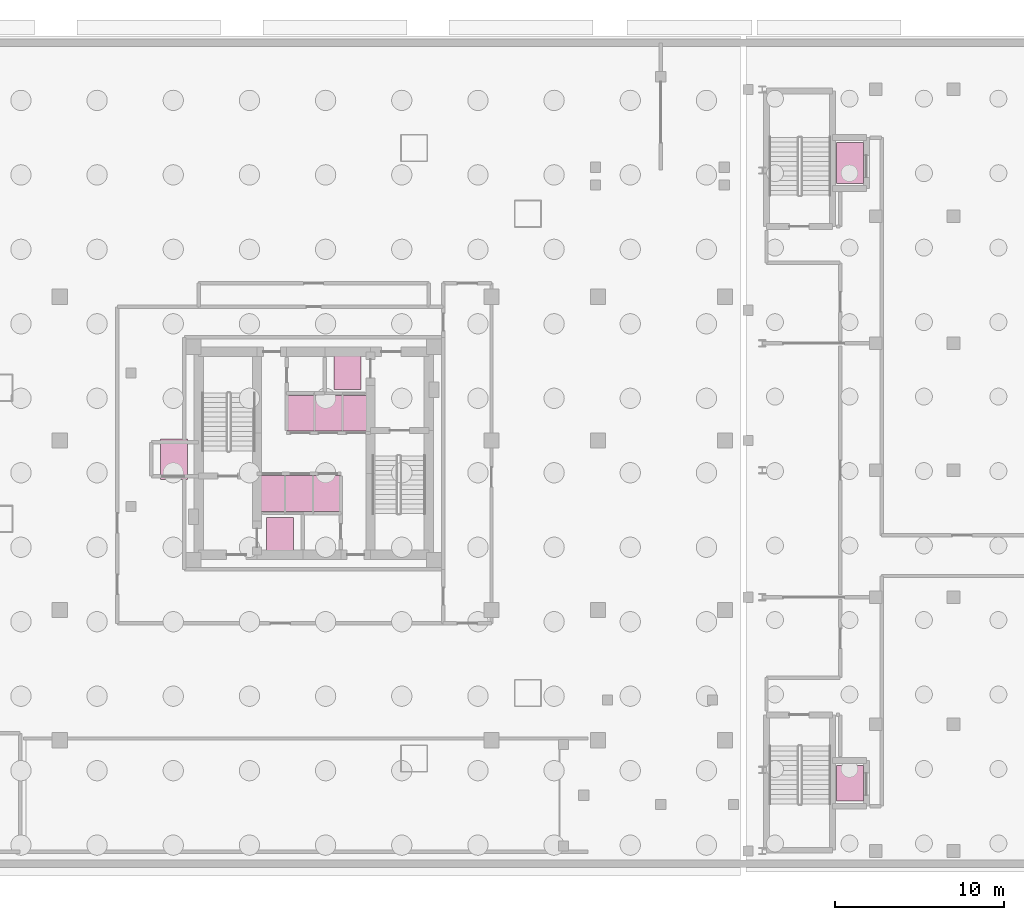
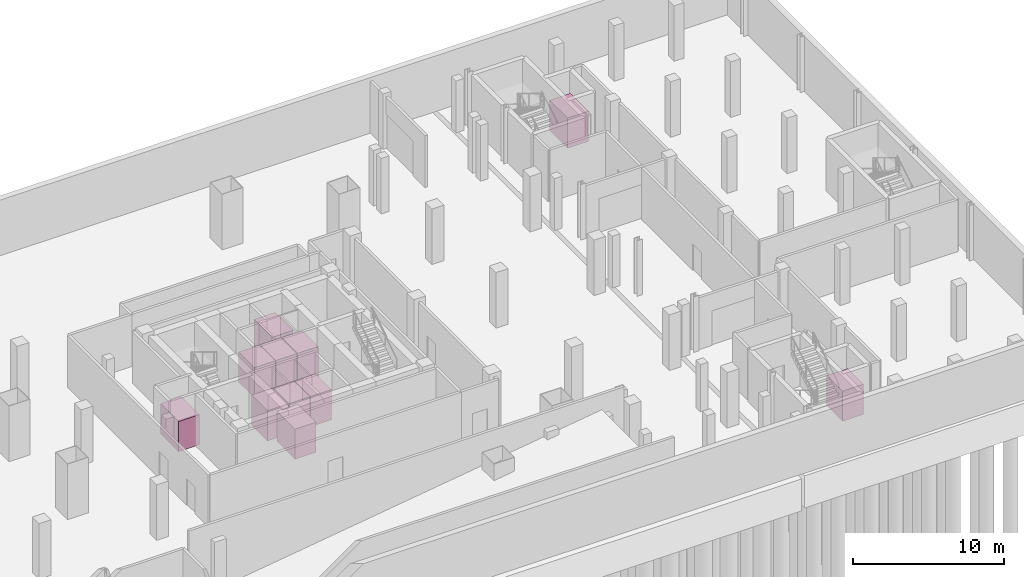
# One storey, part 15 of 15: 11 transport elements.
"""IFC4 building model written with IfcOpenShell, lengths in metres."""

from ifc_helpers import new_model, si_unit, direction, frame, origin, origin_2d, place, context, subcontext, project, spatial, rectangle, extrude, material, type_object, element, save


model = new_model("IFC4")

# Units and contexts
model_context = context("Model", 3, precision=1e-05, world=origin(), true_north=direction((0.0, 1.0)))
body_context = subcontext(model_context, "Body", "Model", "MODEL_VIEW")
ifc_project = project(units=[si_unit("LENGTHUNIT", "METRE"), si_unit("AREAUNIT", "SQUARE_METRE"), si_unit("VOLUMEUNIT", "CUBIC_METRE"), si_unit("PLANEANGLEUNIT", "RADIAN"), si_unit("MASSUNIT", "GRAM", prefix="KILO")], contexts=[model_context])

# Site, building, storey
site_placement = place(None, origin())
site = spatial("IfcSite", under=ifc_project, at=site_placement, CompositionType="ELEMENT")
building_placement = place(site_placement, origin())
building = spatial("IfcBuilding", under=site, at=building_placement, Name="Mersakhor Tower and Convention Hall", CompositionType="ELEMENT")
storey_placement = place(building_placement, frame((0.0, 0.0, -9.0)))
storey = spatial("IfcBuildingStorey", under=building, at=storey_placement, Name="B02", CompositionType="ELEMENT", Elevation=-9.0)

# Transport elements
ifc_material_1 = material(Name="Fire-fighting stainless steel elevator car", Category="steel")
transport_element_type_1 = type_object("IfcTransportElementType", Name="LFT-FFL-2400", PredefinedType="ELEVATOR", material=ifc_material_1)
for number, where, z_axis, x_axis, name in (
    (1, (27.0, 21.77001953125, 0.0), (0.0, 0.0, 1.0), (0.0, 1.0, 0.0), "Firefighting Lift FFL1"),
    (2, (31.0, 31.72998046875, 0.0), (0.0, 0.0, 1.0), (0.0, 1.0, 0.0), "Firefighting Lift FFL2"),
    (3, (20.75, 26.39990234375, 0.0), (0.0, 0.0, 1.0), (0.0, 1.0, 0.0), "Clinic Bed Lift CL1"),
):
    element("IfcTransportElement", number, at=place(storey_placement, frame(where, z_axis=z_axis, x_axis=x_axis)), inside=storey, type_object=transport_element_type_1, Name=name, PredefinedType="ELEVATOR", context=body_context, shape_type="SweptSolid", body=[
        extrude(rectangle(XDim=2.39990234375, YDim=1.60009765625, at=origin_2d()), origin(), (0.0, 0.0, 1.0), 2.449951171875),
    ])
transport_element_placement = place(storey_placement, frame((60.675048828125, 43.89990234375, 0.0), z_axis=(0.0, 0.0, 1.0), x_axis=(1.0, 0.0, 0.0)))
element("IfcTransportElement", 4, at=transport_element_placement, inside=storey, type_object=transport_element_type_1, Name="Convention Service and Passenger Lift CVL2", PredefinedType="ELEVATOR", context=body_context, shape_type="SweptSolid", body=[
    extrude(rectangle(XDim=1.60009765625, YDim=2.39990234375, at=origin_2d()), origin(), (0.0, 0.0, 1.0), 2.449951171875),
])
ifc_material_2 = material(Name="Stainless steel elevator car", Category="steel")
transport_element_type_2 = type_object("IfcTransportElementType", Name="LFT-PASS-1600", PredefinedType="ELEVATOR", material=ifc_material_2)
for number, where, z_axis, x_axis, name in (
    (5, (28.22509765625, 29.125, 0.0), (0.0, 0.0, 1.0), (1.0, 0.0, 0.0), "Passenger Lift P1"),
    (6, (29.875, 29.125, 0.0), (0.0, 0.0, 1.0), (1.0, 0.0, 0.0), "Passenger Lift P2"),
    (7, (31.52490234375, 29.125, 0.0), (0.0, 0.0, 1.0), (1.0, 0.0, 0.0), "Passenger Lift P3"),
    (8, (26.47509765625, 24.375, 0.0), (0.0, 0.0, 1.0), (1.0, 0.0, 0.0), "Passenger Lift P4"),
    (9, (28.125, 24.375, 0.0), (0.0, 0.0, 1.0), (1.0, 0.0, 0.0), "Passenger Lift P5"),
    (10, (29.77490234375, 24.375, 0.0), (0.0, 0.0, 1.0), (1.0, 0.0, 0.0), "Passenger Lift P6"),
    (11, (60.675048828125, 7.25, 0.0), (0.0, 0.0, 1.0), (1.0, 0.0, 0.0), "Convention Passenger Lift CVL1"),
):
    element("IfcTransportElement", number, at=place(storey_placement, frame(where, z_axis=z_axis, x_axis=x_axis)), inside=storey, type_object=transport_element_type_2, Name=name, PredefinedType="ELEVATOR", context=body_context, shape_type="SweptSolid", body=[
        extrude(rectangle(XDim=1.60009765625, YDim=2.10009765625, at=origin_2d()), origin(), (0.0, 0.0, 1.0), 2.449951171875),
    ])

save(model, "model.ifc")
